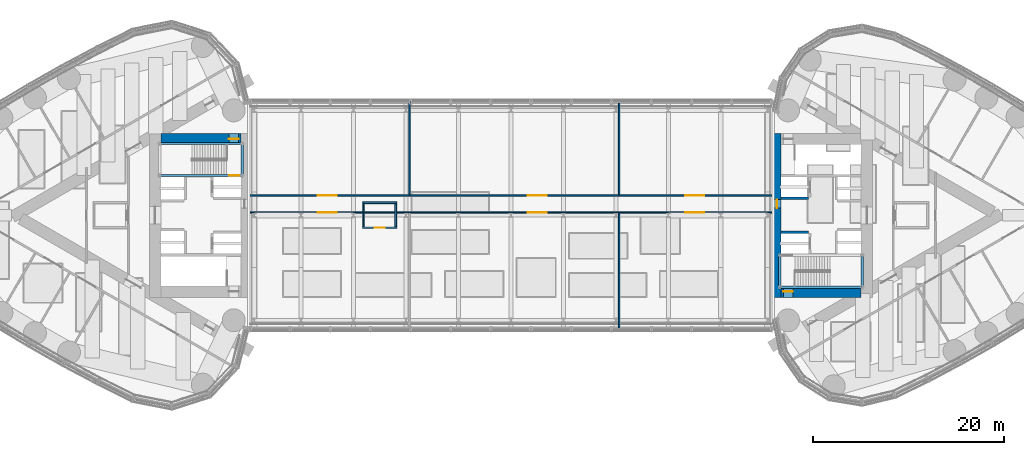
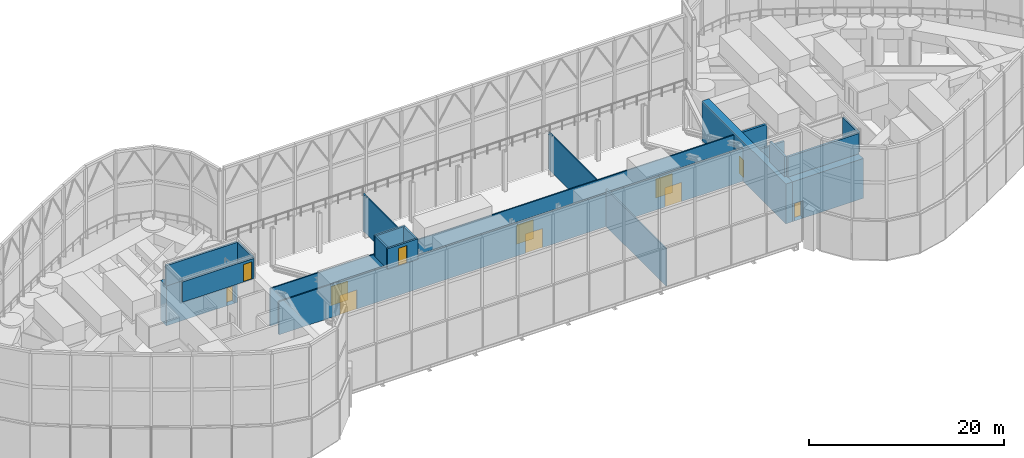
# One storey, part 28 of 33: 20 walls, 11 doors, 11 openings.
"""IFC4 building model written with IfcOpenShell, lengths in metres."""

from ifc_helpers import new_model, si_unit, direction, frame, frame_2d, origin, place, context, subcontext, project, spatial, rectangle, extrude, material, layer, layer_set, type_object, element, fill, save


model = new_model("IFC4")

# Units and contexts
model_context = context("Model", 3, precision=1e-05, world=origin(), true_north=direction((0.0, 1.0)))
body_context = subcontext(model_context, "Body", "Model", "MODEL_VIEW")
ifc_project = project(units=[si_unit("LENGTHUNIT", "METRE"), si_unit("AREAUNIT", "SQUARE_METRE"), si_unit("VOLUMEUNIT", "CUBIC_METRE"), si_unit("PLANEANGLEUNIT", "RADIAN"), si_unit("MASSUNIT", "GRAM", prefix="KILO")], contexts=[model_context])

# Site, building, storey
site_placement = place(None, origin())
site = spatial("IfcSite", under=ifc_project, at=site_placement, CompositionType="ELEMENT")
building_placement = place(site_placement, origin())
building = spatial("IfcBuilding", under=site, at=building_placement, Name="Lancet Gate Hotel", CompositionType="ELEMENT")
storey_placement = place(building_placement, frame((0.0, 0.0, 268.300048828125)))
storey = spatial("IfcBuildingStorey", under=building, at=storey_placement, Name="L70", CompositionType="ELEMENT", Elevation=268.300048828125)

# Wall, openings, doors
ifc_material_1 = material(Name="Gypsum board partition")
ifc_layer_1 = layer(ifc_material_1, 0.14990234375)
ifc_layer_set_1 = layer_set([ifc_layer_1], Name="Block corridor wall 150")
wall_type_1 = type_object("IfcWallType", Name="Block corridor wall 150", PredefinedType="PARTITIONING", material=ifc_layer_set_1)
wall_1_placement = place(storey_placement, frame((-27.5, 0.300048828125, 0.0), z_axis=(0.0, 0.0, 1.0), x_axis=(1.0, 0.0, 0.0)))
wall_1 = element("IfcWall", 1, at=wall_1_placement, inside=storey, type_object=wall_type_1, Name="Bridge block block corridor wall 150 L70", PredefinedType="PARTITIONING", context=body_context, shape_type="SweptSolid", body=[
    extrude(rectangle(XDim=55.0, YDim=0.14990234375, at=frame_2d((27.5, 0.0))), origin(), (0.0, 0.0, 1.0), 4.163330078125),
])
opening_1_placement = place(wall_1_placement, frame((7.25, 0.0, 0.0)))
opening_1 = element("IfcOpeningElement", 2, at=opening_1_placement, cuts=wall_1, Name="Opening BR-L70-P1", PredefinedType="OPENING", context=body_context, shape_type="SweptSolid", body=[
    extrude(rectangle(XDim=2.0, YDim=2.39990234375, at=frame_2d((1.0, 1.199951171875))), frame((0.0, 0.0849609375, 0.0), z_axis=(0.0, -1.0, 0.0), x_axis=(1.0, 0.0, 0.0)), (0.0, 0.0, 1.0), 0.169921875),
])
opening_2_placement = place(wall_1_placement, frame((29.25, 0.0, 0.0)))
opening_2 = element("IfcOpeningElement", 3, at=opening_2_placement, cuts=wall_1, Name="Opening BR-L70-P2", PredefinedType="OPENING", context=body_context, shape_type="SweptSolid", body=[
    extrude(rectangle(XDim=2.0, YDim=2.39990234375, at=frame_2d((1.0, 1.199951171875))), frame((0.0, 0.0849609375, 0.0), z_axis=(0.0, -1.0, 0.0), x_axis=(1.0, 0.0, 0.0)), (0.0, 0.0, 1.0), 0.169921875),
])
opening_3_placement = place(wall_1_placement, frame((45.75, 0.0, 0.0)))
opening_3 = element("IfcOpeningElement", 4, at=opening_3_placement, cuts=wall_1, Name="Opening BR-L70-P3", PredefinedType="OPENING", context=body_context, shape_type="SweptSolid", body=[
    extrude(rectangle(XDim=2.0, YDim=2.39990234375, at=frame_2d((1.0, 1.199951171875))), frame((0.0, 0.0849609375, 0.0), z_axis=(0.0, -1.0, 0.0), x_axis=(1.0, 0.0, 0.0)), (0.0, 0.0, 1.0), 0.169921875),
])
ifc_material_2 = material(Name="Timber door set", Category="wood")
door_type_1 = type_object("IfcDoorType", Name="Plant room double door 2000", OperationType="DOUBLE_DOOR_SINGLE_SWING", PredefinedType="DOOR", material=ifc_material_2)
door_1_placement = place(opening_1_placement, origin())
door_1 = element("IfcDoor", 5, at=door_1_placement, inside=storey, type_object=door_type_1, Name="BR-L70-P1", OperationType="DOUBLE_DOOR_SINGLE_SWING", OverallHeight=2.39990234375, OverallWidth=2.0, PredefinedType="DOOR", context=body_context, shape_type="SweptSolid", body=[
    extrude(rectangle(XDim=2.0, YDim=2.39990234375, at=frame_2d((1.0, 1.199951171875))), frame((0.0, 0.02490234375, 0.0), z_axis=(0.0, -1.0, 0.0), x_axis=(1.0, 0.0, 0.0)), (0.0, 0.0, 1.0), 0.050048828125),
])
fill(opening_1, door_1)
door_2_placement = place(opening_2_placement, origin())
door_2 = element("IfcDoor", 6, at=door_2_placement, inside=storey, type_object=door_type_1, Name="BR-L70-P2", OperationType="DOUBLE_DOOR_SINGLE_SWING", OverallHeight=2.39990234375, OverallWidth=2.0, PredefinedType="DOOR", context=body_context, shape_type="SweptSolid", body=[
    extrude(rectangle(XDim=2.0, YDim=2.39990234375, at=frame_2d((1.0, 1.199951171875))), frame((0.0, 0.02490234375, 0.0), z_axis=(0.0, -1.0, 0.0), x_axis=(1.0, 0.0, 0.0)), (0.0, 0.0, 1.0), 0.050048828125),
])
fill(opening_2, door_2)
door_3_placement = place(opening_3_placement, origin())
door_3 = element("IfcDoor", 7, at=door_3_placement, inside=storey, type_object=door_type_1, Name="BR-L70-P3", OperationType="DOUBLE_DOOR_SINGLE_SWING", OverallHeight=2.39990234375, OverallWidth=2.0, PredefinedType="DOOR", context=body_context, shape_type="SweptSolid", body=[
    extrude(rectangle(XDim=2.0, YDim=2.39990234375, at=frame_2d((1.0, 1.199951171875))), frame((0.0, 0.02490234375, 0.0), z_axis=(0.0, -1.0, 0.0), x_axis=(1.0, 0.0, 0.0)), (0.0, 0.0, 1.0), 0.050048828125),
])
fill(opening_3, door_3)

wall_2_placement = place(storey_placement, frame((-27.5, 2.10009765625, 0.0), z_axis=(0.0, 0.0, 1.0), x_axis=(1.0, 0.0, 0.0)))
wall_2 = element("IfcWall", 8, at=wall_2_placement, inside=storey, type_object=wall_type_1, Name="Bridge block block corridor wall 150 L70", PredefinedType="PARTITIONING", context=body_context, shape_type="SweptSolid", body=[
    extrude(rectangle(XDim=55.0, YDim=0.14990234375, at=frame_2d((27.5, 0.0))), origin(), (0.0, 0.0, 1.0), 4.699951171875),
])
opening_4_placement = place(wall_2_placement, frame((7.25, 0.0, 0.0)))
opening_4 = element("IfcOpeningElement", 9, at=opening_4_placement, cuts=wall_2, Name="Opening BR-L70-P4", PredefinedType="OPENING", context=body_context, shape_type="SweptSolid", body=[
    extrude(rectangle(XDim=2.0, YDim=2.39990234375, at=frame_2d((1.0, 1.199951171875))), frame((0.0, 0.0849609375, 0.0), z_axis=(0.0, -1.0, 0.0), x_axis=(1.0, 0.0, 0.0)), (0.0, 0.0, 1.0), 0.169921875),
])
opening_5_placement = place(wall_2_placement, frame((29.25, 0.0, 0.0)))
opening_5 = element("IfcOpeningElement", 10, at=opening_5_placement, cuts=wall_2, Name="Opening BR-L70-P5", PredefinedType="OPENING", context=body_context, shape_type="SweptSolid", body=[
    extrude(rectangle(XDim=2.0, YDim=2.39990234375, at=frame_2d((1.0, 1.199951171875))), frame((0.0, 0.0849609375, 0.0), z_axis=(0.0, -1.0, 0.0), x_axis=(1.0, 0.0, 0.0)), (0.0, 0.0, 1.0), 0.169921875),
])
opening_6_placement = place(wall_2_placement, frame((45.75, 0.0, 0.0)))
opening_6 = element("IfcOpeningElement", 11, at=opening_6_placement, cuts=wall_2, Name="Opening BR-L70-P6", PredefinedType="OPENING", context=body_context, shape_type="SweptSolid", body=[
    extrude(rectangle(XDim=2.0, YDim=2.39990234375, at=frame_2d((1.0, 1.199951171875))), frame((0.0, 0.0849609375, 0.0), z_axis=(0.0, -1.0, 0.0), x_axis=(1.0, 0.0, 0.0)), (0.0, 0.0, 1.0), 0.169921875),
])
door_4_placement = place(opening_4_placement, origin())
door_4 = element("IfcDoor", 12, at=door_4_placement, inside=storey, type_object=door_type_1, Name="BR-L70-P4", OperationType="DOUBLE_DOOR_SINGLE_SWING", OverallHeight=2.39990234375, OverallWidth=2.0, PredefinedType="DOOR", context=body_context, shape_type="SweptSolid", body=[
    extrude(rectangle(XDim=2.0, YDim=2.39990234375, at=frame_2d((1.0, 1.199951171875))), frame((0.0, 0.02490234375, 0.0), z_axis=(0.0, -1.0, 0.0), x_axis=(1.0, 0.0, 0.0)), (0.0, 0.0, 1.0), 0.050048828125),
])
fill(opening_4, door_4)
door_5_placement = place(opening_5_placement, origin())
door_5 = element("IfcDoor", 13, at=door_5_placement, inside=storey, type_object=door_type_1, Name="BR-L70-P5", OperationType="DOUBLE_DOOR_SINGLE_SWING", OverallHeight=2.39990234375, OverallWidth=2.0, PredefinedType="DOOR", context=body_context, shape_type="SweptSolid", body=[
    extrude(rectangle(XDim=2.0, YDim=2.39990234375, at=frame_2d((1.0, 1.199951171875))), frame((0.0, 0.02490234375, 0.0), z_axis=(0.0, -1.0, 0.0), x_axis=(1.0, 0.0, 0.0)), (0.0, 0.0, 1.0), 0.050048828125),
])
fill(opening_5, door_5)
door_6_placement = place(opening_6_placement, origin())
door_6 = element("IfcDoor", 14, at=door_6_placement, inside=storey, type_object=door_type_1, Name="BR-L70-P6", OperationType="DOUBLE_DOOR_SINGLE_SWING", OverallHeight=2.39990234375, OverallWidth=2.0, PredefinedType="DOOR", context=body_context, shape_type="SweptSolid", body=[
    extrude(rectangle(XDim=2.0, YDim=2.39990234375, at=frame_2d((1.0, 1.199951171875))), frame((0.0, 0.02490234375, 0.0), z_axis=(0.0, -1.0, 0.0), x_axis=(1.0, 0.0, 0.0)), (0.0, 0.0, 1.0), 0.050048828125),
])
fill(opening_6, door_6)

# Wall, opening, door
ifc_material_3 = material(Name="Concrete C70/85", Category="concrete")
ifc_layer_2 = layer(ifc_material_3, 1.199951171875)
ifc_layer_set_2 = layer_set([ifc_layer_2], Name="Core wall 1200")
wall_type_2 = type_object("IfcWallType", Name="Core wall 1200", PredefinedType="SHEAR", material=ifc_layer_set_2)
wall_3_placement = place(storey_placement, frame((-28.300048828125, 8.0, 0.0), z_axis=(0.0, 0.0, 1.0), x_axis=(-1.0, 0.0, 0.0)))
wall_3 = element("IfcWall", 15, at=wall_3_placement, inside=storey, type_object=wall_type_2, Name="T1 core wall side-S L70", PredefinedType="SHEAR", context=body_context, shape_type="SweptSolid", body=[
    extrude(rectangle(XDim=8.39990234375, YDim=1.199951171875, at=frame_2d((4.199951171875, 0.0))), origin(), (0.0, 0.0, 1.0), 5.0),
])
opening_7_placement = place(wall_3_placement, frame((0.25, 0.0, 0.0)))
opening_7 = element("IfcOpeningElement", 16, at=opening_7_placement, cuts=wall_3, Name="Opening T1-L70-ST1", PredefinedType="OPENING", context=body_context, shape_type="SweptSolid", body=[
    extrude(rectangle(XDim=1.0, YDim=2.199951171875, at=frame_2d((0.5, 1.10009765625))), frame((0.0, 0.60986328125, 0.0), z_axis=(0.0, -1.0, 0.0), x_axis=(1.0, 0.0, 0.0)), (0.0, 0.0, 1.0), 1.219970703125),
])
ifc_material_4 = material(Name="Timber door set", Category="wood")
door_type_2 = type_object("IfcDoorType", Name="Stair door 1000", OperationType="SINGLE_SWING_RIGHT", PredefinedType="DOOR", material=ifc_material_4)
door_7_placement = place(opening_7_placement, origin())
door_7 = element("IfcDoor", 17, at=door_7_placement, inside=storey, type_object=door_type_2, Name="T1-L70-ST1", OperationType="SINGLE_SWING_RIGHT", OverallHeight=2.199951171875, OverallWidth=1.0, PredefinedType="DOOR", context=body_context, shape_type="SweptSolid", body=[
    extrude(rectangle(XDim=1.0, YDim=2.199951171875, at=frame_2d((0.5, 1.10009765625))), frame((0.0, 0.02490234375, 0.0), z_axis=(0.0, -1.0, 0.0), x_axis=(1.0, 0.0, 0.0)), (0.0, 0.0, 1.0), 0.050048828125),
])
fill(opening_7, door_7)

wall_4_placement = place(storey_placement, frame((28.300048828125, -8.0, 0.0), z_axis=(0.0, 0.0, 1.0), x_axis=(1.0, 0.0, 0.0)))
wall_4 = element("IfcWall", 18, at=wall_4_placement, inside=storey, type_object=wall_type_2, Name="T2 core wall side-S L70", PredefinedType="SHEAR", context=body_context, shape_type="SweptSolid", body=[
    extrude(rectangle(XDim=8.39990234375, YDim=1.199951171875, at=frame_2d((4.199951171875, 0.0))), origin(), (0.0, 0.0, 1.0), 5.0),
])
opening_8_placement = place(wall_4_placement, frame((0.25, 0.0, 0.0)))
opening_8 = element("IfcOpeningElement", 19, at=opening_8_placement, cuts=wall_4, Name="Opening T2-L70-ST1", PredefinedType="OPENING", context=body_context, shape_type="SweptSolid", body=[
    extrude(rectangle(XDim=1.0, YDim=2.199951171875, at=frame_2d((0.5, 1.10009765625))), frame((0.0, 0.60986328125, 0.0), z_axis=(0.0, -1.0, 0.0), x_axis=(1.0, 0.0, 0.0)), (0.0, 0.0, 1.0), 1.219970703125),
])
door_8_placement = place(opening_8_placement, origin())
door_8 = element("IfcDoor", 20, at=door_8_placement, inside=storey, type_object=door_type_2, Name="T2-L70-ST1", OperationType="SINGLE_SWING_RIGHT", OverallHeight=2.199951171875, OverallWidth=1.0, PredefinedType="DOOR", context=body_context, shape_type="SweptSolid", body=[
    extrude(rectangle(XDim=1.0, YDim=2.199951171875, at=frame_2d((0.5, 1.10009765625))), frame((0.0, 0.02490234375, 0.0), z_axis=(0.0, -1.0, 0.0), x_axis=(1.0, 0.0, 0.0)), (0.0, 0.0, 1.0), 0.050048828125),
])
fill(opening_8, door_8)

ifc_material_5 = material(Name="Concrete C70/85", Category="concrete")
ifc_layer_3 = layer(ifc_material_5, 0.800048828125)
ifc_layer_set_3 = layer_set([ifc_layer_3], Name="Core wall 800")
wall_type_3 = type_object("IfcWallType", Name="Core wall 800", PredefinedType="SHEAR", material=ifc_layer_set_3)
wall_5_placement = place(storey_placement, frame((27.89990234375, -8.60009765625, 0.0), z_axis=(0.0, 0.0, 1.0), x_axis=(0.0, 1.0, 0.0)))
wall_5 = element("IfcWall", 21, at=wall_5_placement, inside=storey, type_object=wall_type_3, Name="T2 core wall front L70", PredefinedType="SHEAR", context=body_context, shape_type="SweptSolid", body=[
    extrude(rectangle(XDim=17.2001953125, YDim=0.800048828125, at=frame_2d((8.60009765625, 0.0))), origin(), (0.0, 0.0, 1.0), 5.0),
])
opening_9_placement = place(wall_5_placement, frame((9.35009765625, 0.0, 0.0)))
opening_9 = element("IfcOpeningElement", 22, at=opening_9_placement, cuts=wall_5, Name="Opening T2-L70-BR", PredefinedType="OPENING", context=body_context, shape_type="SweptSolid", body=[
    extrude(rectangle(XDim=0.89990234375, YDim=2.199951171875, at=frame_2d((0.449951171875, 1.10009765625))), frame((0.0, 0.409912109375, 0.0), z_axis=(0.0, -1.0, 0.0), x_axis=(1.0, 0.0, 0.0)), (0.0, 0.0, 1.0), 0.820068359375),
])
ifc_material_6 = material(Name="Steel door set", Category="steel")
door_type_3 = type_object("IfcDoorType", Name="Bridge fire door 900", OperationType="SINGLE_SWING_LEFT", PredefinedType="DOOR", material=ifc_material_6)
door_9_placement = place(opening_9_placement, origin())
door_9 = element("IfcDoor", 23, at=door_9_placement, inside=storey, type_object=door_type_3, Name="T2-L70-BR", OperationType="SINGLE_SWING_LEFT", OverallHeight=2.199951171875, OverallWidth=0.89990234375, PredefinedType="DOOR", context=body_context, shape_type="SweptSolid", body=[
    extrude(rectangle(XDim=0.89990234375, YDim=2.199951171875, at=frame_2d((0.449951171875, 1.10009765625))), frame((0.0, 0.02490234375, 0.0), z_axis=(0.0, -1.0, 0.0), x_axis=(1.0, 0.0, 0.0)), (0.0, 0.0, 1.0), 0.050048828125),
])
fill(opening_9, door_9)

# Walls
ifc_material_7 = material(Name="Concrete C50/60", Category="concrete")
ifc_layer_4 = layer(ifc_material_7, 0.25)
ifc_layer_set_4 = layer_set([ifc_layer_4], Name="Lift shaft wall 250")
wall_type_4 = type_object("IfcWallType", Name="Lift shaft wall 250", PredefinedType="SHEAR", material=ifc_layer_set_4)
for number, where, z_axis, x_axis, name in (
    (24, (28.300048828125, -1.77490234375, 0.0), (0.0, 0.0, 1.0), (1.0, 0.0, 0.0), "T2 core wall pass1-S L70"),
    (25, (28.300048828125, 1.77490234375, 0.0), (0.0, 0.0, 1.0), (1.0, 0.0, 0.0), "T2 core wall pass1-N L70"),
):
    element("IfcWall", number, at=place(storey_placement, frame(where, z_axis=z_axis, x_axis=x_axis)), inside=storey, type_object=wall_type_4, Name=name, PredefinedType="SHEAR", context=body_context, shape_type="SweptSolid", body=[
        extrude(rectangle(XDim=2.89990234375, YDim=0.25, at=frame_2d((1.449951171875, 0.0))), origin(), (0.0, 0.0, 1.0), 5.0),
    ])

# Wall, opening, door
ifc_material_8 = material(Name="Dense concrete blockwork", Category="masonry")
ifc_layer_5 = layer(ifc_material_8, 0.199951171875)
ifc_layer_set_5 = layer_set([ifc_layer_5], Name="Roof access store wall 200")
wall_type_5 = type_object("IfcWallType", Name="Roof access store wall 200", PredefinedType="SOLIDWALL", material=ifc_layer_set_5)
wall_6_placement = place(storey_placement, frame((-15.550048828125, -1.300048828125, 5.0), z_axis=(0.0, 0.0, 1.0), x_axis=(1.0, 0.0, 0.0)))
wall_6 = element("IfcWall", 26, at=wall_6_placement, inside=storey, type_object=wall_type_5, Name="Bridge block roof access store wall south", PredefinedType="SOLIDWALL", context=body_context, shape_type="SweptSolid", body=[
    extrude(rectangle(XDim=3.60009765625, YDim=0.199951171875, at=frame_2d((1.800048828125, 0.0))), origin(), (0.0, 0.0, 1.0), 2.599853515625),
])
opening_10_placement = place(wall_6_placement, frame((1.300048828125, 0.0, 0.0)))
opening_10 = element("IfcOpeningElement", 27, at=opening_10_placement, cuts=wall_6, Name="Opening BLK-RS", PredefinedType="OPENING", context=body_context, shape_type="SweptSolid", body=[
    extrude(rectangle(XDim=1.0, YDim=2.199951171875, at=frame_2d((0.5, 1.10009765625))), frame((0.0, 0.10986328125, 0.0), z_axis=(0.0, -1.0, 0.0), x_axis=(1.0, 0.0, 0.0)), (0.0, 0.0, 1.0), 0.219970703125),
])
ifc_material_9 = material(Name="Steel door set", Category="steel")
door_type_4 = type_object("IfcDoorType", Name="Roof access door 1000 external", OperationType="SINGLE_SWING_LEFT", PredefinedType="DOOR", material=ifc_material_9)
door_10_placement = place(opening_10_placement, origin())
door_10 = element("IfcDoor", 28, at=door_10_placement, inside=storey, type_object=door_type_4, Name="BLK-RS", OperationType="SINGLE_SWING_LEFT", OverallHeight=2.199951171875, OverallWidth=1.0, PredefinedType="DOOR", context=body_context, shape_type="SweptSolid", body=[
    extrude(rectangle(XDim=1.0, YDim=2.199951171875, at=frame_2d((0.5, 1.10009765625))), frame((0.0, 0.02490234375, 0.0), z_axis=(0.0, -1.0, 0.0), x_axis=(1.0, 0.0, 0.0)), (0.0, 0.0, 1.0), 0.050048828125),
])
fill(opening_10, door_10)

# Walls
wall_7_placement = place(storey_placement, frame((-11.949951171875, 1.300048828125, 5.0), z_axis=(0.0, 0.0, 1.0), x_axis=(-1.0, 0.0, 0.0)))
element("IfcWall", 29, at=wall_7_placement, inside=storey, type_object=wall_type_5, Name="Bridge block roof access store wall north", PredefinedType="SOLIDWALL", context=body_context, shape_type="SweptSolid", body=[
    extrude(rectangle(XDim=3.60009765625, YDim=0.199951171875, at=frame_2d((1.800048828125, 0.0))), origin(), (0.0, 0.0, 1.0), 2.599853515625),
])
for number, where, z_axis, x_axis, name in (
    (30, (-15.449951171875, 1.199951171875, 5.0), (0.0, 0.0, 1.0), (0.0, -1.0, 0.0), "Bridge block roof access store wall west"),
    (31, (-12.050048828125, -1.199951171875, 5.0), (0.0, 0.0, 1.0), (0.0, 1.0, 0.0), "Bridge block roof access store wall east"),
):
    element("IfcWall", number, at=place(storey_placement, frame(where, z_axis=z_axis, x_axis=x_axis)), inside=storey, type_object=wall_type_5, Name=name, PredefinedType="SOLIDWALL", context=body_context, shape_type="SweptSolid", body=[
        extrude(rectangle(XDim=2.39990234375, YDim=0.199951171875, at=frame_2d((1.199951171875, 0.0))), origin(), (0.0, 0.0, 1.0), 2.599853515625),
    ])
ifc_material_10 = material(Name="Gypsum board partition")
ifc_layer_6 = layer(ifc_material_10, 0.14990234375)
ifc_layer_set_6 = layer_set([ifc_layer_6], Name="Service room wall 150")
wall_type_6 = type_object("IfcWallType", Name="Service room wall 150", PredefinedType="PARTITIONING", material=ifc_layer_set_6)
wall_8_placement = place(storey_placement, frame((11.35009765625, -12.070068359375, 0.0), z_axis=(0.0, 0.0, 1.0), x_axis=(0.0, 1.0, 0.0)))
element("IfcWall", 32, at=wall_8_placement, inside=storey, type_object=wall_type_6, Name="Bridge block service room wall 150 L70", PredefinedType="PARTITIONING", context=body_context, shape_type="SweptSolid", body=[
    extrude(rectangle(XDim=12.295166015625, YDim=0.14990234375, at=frame_2d((6.1474609375, 0.0))), origin(), (0.0, 0.0, 1.0), 4.699951171875),
])
for number, where, z_axis, x_axis, name in (
    (33, (-10.64990234375, 2.175048828125, 0.0), (0.0, 0.0, 1.0), (0.0, 1.0, 0.0), "Bridge block service room wall 150 L70"),
    (34, (11.35009765625, 2.175048828125, 0.0), (0.0, 0.0, 1.0), (0.0, 1.0, 0.0), "Bridge block service room wall 150 L70"),
):
    element("IfcWall", number, at=place(storey_placement, frame(where, z_axis=z_axis, x_axis=x_axis)), inside=storey, type_object=wall_type_6, Name=name, PredefinedType="PARTITIONING", context=body_context, shape_type="SweptSolid", body=[
        extrude(rectangle(XDim=9.89501953125, YDim=0.14990234375, at=frame_2d((4.947509765625, 0.0))), origin(), (0.0, 0.0, 1.0), 4.699951171875),
    ])
ifc_material_11 = material(Name="Dense concrete blockwork", Category="masonry")
ifc_layer_7 = layer(ifc_material_11, 0.25)
ifc_layer_set_7 = layer_set([ifc_layer_7], Name="Stair head-house wall 250")
wall_type_7 = type_object("IfcWallType", Name="Stair head-house wall 250", PredefinedType="SOLIDWALL", material=ifc_layer_set_7)
wall_9_placement = place(storey_placement, frame((-28.175048828125, 7.422119140625, 5.0), z_axis=(0.0, 0.0, 1.0), x_axis=(0.0, -1.0, 0.0)))
element("IfcWall", 35, at=wall_9_placement, inside=storey, type_object=wall_type_7, Name="T1 stair head-house wall front", PredefinedType="SOLIDWALL", context=body_context, shape_type="SweptSolid", body=[
    extrude(rectangle(XDim=3.14404296875, YDim=0.25, at=frame_2d((1.572021484375, 0.0))), origin(), (0.0, 0.0, 1.0), 2.5400390625),
])
wall_10_placement = place(storey_placement, frame((-28.278076171875, 7.52490234375, 5.0), z_axis=(0.0, 0.0, 1.0), x_axis=(-1.0, 0.0, 0.0)))
element("IfcWall", 36, at=wall_10_placement, inside=storey, type_object=wall_type_7, Name="T1 stair head-house wall outer", PredefinedType="SOLIDWALL", context=body_context, shape_type="SweptSolid", body=[
    extrude(rectangle(XDim=8.44384765625, YDim=0.25, at=frame_2d((4.221923828125, 0.0))), origin(), (0.0, 0.0, 1.0), 2.5400390625),
])

# Wall, opening, door
wall_11_placement = place(storey_placement, frame((-28.278076171875, 4.175048828125, 5.0), z_axis=(0.0, 0.0, 1.0), x_axis=(-1.0, 0.0, 0.0)))
wall_11 = element("IfcWall", 37, at=wall_11_placement, inside=storey, type_object=wall_type_7, Name="T1 stair head-house wall inner", PredefinedType="SOLIDWALL", context=body_context, shape_type="SweptSolid", body=[
    extrude(rectangle(XDim=8.44384765625, YDim=0.25, at=frame_2d((4.221923828125, 0.0))), origin(), (0.0, 0.0, 1.0), 2.5400390625),
])
opening_11_placement = place(wall_11_placement, frame((0.221923828125, 0.0, 0.0)))
opening_11 = element("IfcOpeningElement", 38, at=opening_11_placement, cuts=wall_11, Name="Opening T1-RD", PredefinedType="OPENING", context=body_context, shape_type="SweptSolid", body=[
    extrude(rectangle(XDim=1.0, YDim=2.199951171875, at=frame_2d((0.5, 1.10009765625))), frame((0.0, 0.135009765625, 0.0), z_axis=(0.0, -1.0, 0.0), x_axis=(1.0, 0.0, 0.0)), (0.0, 0.0, 1.0), 0.27001953125),
])
door_11_placement = place(opening_11_placement, origin())
door_11 = element("IfcDoor", 39, at=door_11_placement, inside=storey, type_object=door_type_4, Name="T1-RD", OperationType="SINGLE_SWING_LEFT", OverallHeight=2.199951171875, OverallWidth=1.0, PredefinedType="DOOR", context=body_context, shape_type="SweptSolid", body=[
    extrude(rectangle(XDim=1.0, YDim=2.199951171875, at=frame_2d((0.5, 1.10009765625))), frame((0.0, 0.02490234375, 0.0), z_axis=(0.0, -1.0, 0.0), x_axis=(1.0, 0.0, 0.0)), (0.0, 0.0, 1.0), 0.050048828125),
])
fill(opening_11, door_11)

# Walls
for number, where, z_axis, x_axis, name in (
    (40, (28.175048828125, -7.422119140625, 5.0), (0.0, 0.0, 1.0), (0.0, 1.0, 0.0), "T2 stair head-house wall front"),
    (41, (36.824951171875, -7.422119140625, 5.0), (0.0, 0.0, 1.0), (0.0, 1.0, 0.0), "T2 stair head-house wall back"),
):
    element("IfcWall", number, at=place(storey_placement, frame(where, z_axis=z_axis, x_axis=x_axis)), inside=storey, type_object=wall_type_7, Name=name, PredefinedType="SOLIDWALL", context=body_context, shape_type="SweptSolid", body=[
        extrude(rectangle(XDim=3.14404296875, YDim=0.25, at=frame_2d((1.572021484375, 0.0))), origin(), (0.0, 0.0, 1.0), 2.5400390625),
    ])
wall_12_placement = place(storey_placement, frame((28.278076171875, -7.52490234375, 5.0), z_axis=(0.0, 0.0, 1.0), x_axis=(1.0, 0.0, 0.0)))
element("IfcWall", 42, at=wall_12_placement, inside=storey, type_object=wall_type_7, Name="T2 stair head-house wall outer", PredefinedType="SOLIDWALL", context=body_context, shape_type="SweptSolid", body=[
    extrude(rectangle(XDim=8.44384765625, YDim=0.25, at=frame_2d((4.221923828125, 0.0))), origin(), (0.0, 0.0, 1.0), 2.5400390625),
])

save(model, "model.ifc")
